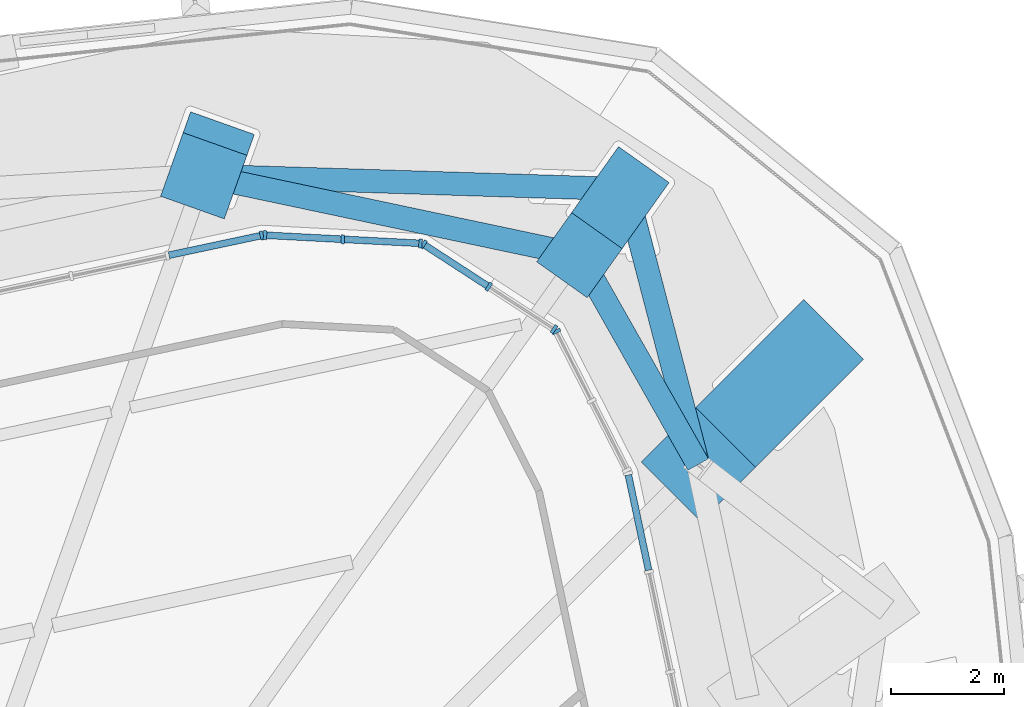
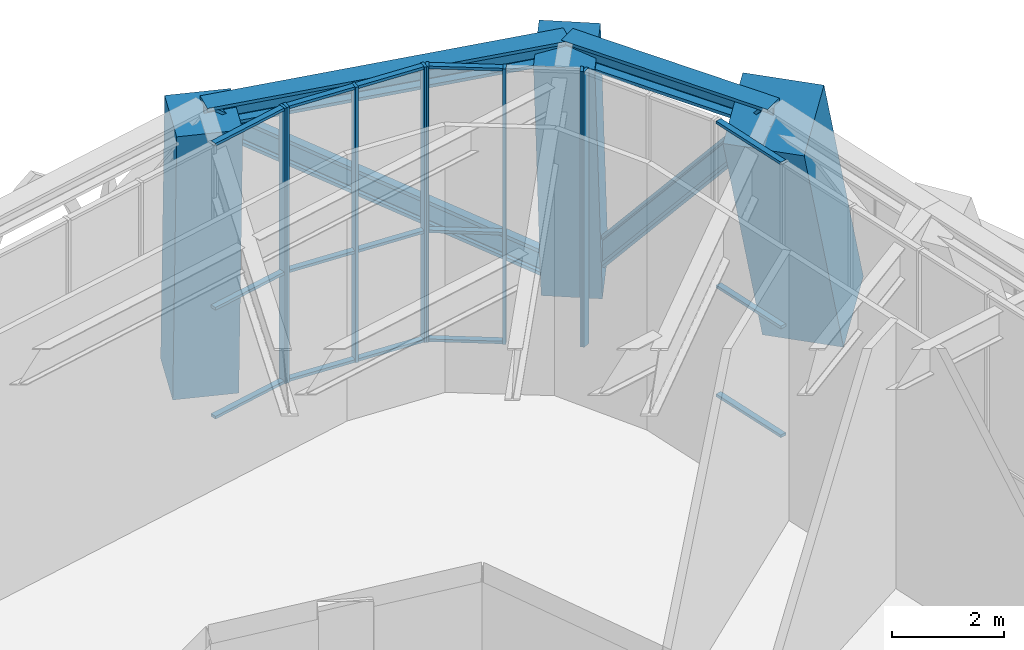
# One storey, part 11 of 23: 30 members, 5 elements without a shape of their own.
"""IFC4 building model written with IfcOpenShell, lengths in metres."""

import ifcopenshell
import ifcopenshell.guid

model = None  # the IFC model being written
_history = None  # IfcOwnerHistory: only IFC2X3 demands one
_inside = {}  # id of a spatial element -> (the spatial element, [elements in it])
_under = {}  # id of a project, library or spatial element -> (it, [spatial elements below it])
_declared = {}  # id of a project -> (the project, [libraries it declares])
_typed = {}  # id of a type object -> (the type object, [elements of that type])
_made_of = {}  # id of a material, layer set ... -> (it, [elements and type objects made of it])


def new_model(schema):
    """Start an empty IFC model of exactly this schema.

    Asked for "IFC4X3", IfcOpenShell would pick the latest addendum, in which some entities
    have other attributes; the version numbers below select the first issue.
    IFC2X3 requires an IfcOwnerHistory on every rooted entity: one is made here for all.
    """
    global model, _history
    if schema == "IFC4X3":
        model = ifcopenshell.file(schema_version=(4, 3, 0, 0))
    else:
        model = ifcopenshell.file(schema=schema)
    _inside.clear()
    _under.clear()
    _declared.clear()
    _typed.clear()
    _made_of.clear()
    _history = None
    if model.schema == "IFC2X3":
        org = make("IfcOrganization", Name="unknown")
        user = make(
            "IfcPersonAndOrganization",
            ThePerson=make("IfcPerson", FamilyName="unknown"),
            TheOrganization=org,
        )
        app = make(
            "IfcApplication",
            ApplicationDeveloper=org,
            Version="unknown",
            ApplicationFullName="unknown",
            ApplicationIdentifier="unknown",
        )
        _history = make(
            "IfcOwnerHistory",
            OwningUser=user,
            OwningApplication=app,
            ChangeAction="ADDED",
            CreationDate=0,
        )
    return model


def make(cls, **values):
    """One entity of the class cls with the attributes given. An attribute that is None is left unset."""
    return model.create_entity(
        cls, **{name: value for name, value in values.items() if value is not None}
    )


def rooted(cls, **values):
    """An entity with a GlobalId (a new one), such as an element, a storey or a relation."""
    return make(cls, GlobalId=ifcopenshell.guid.new(), OwnerHistory=_history, **values)


def si_unit(unit_type, name, prefix=None):
    """IfcSIUnit, for example si_unit("LENGTHUNIT", "METRE", prefix="MILLI")."""
    return make("IfcSIUnit", UnitType=unit_type, Prefix=prefix, Name=name)


def assignment(units):
    """IfcUnitAssignment: the units of a project."""
    return None if units is None else make("IfcUnitAssignment", Units=units)


def point(xyz):
    """IfcCartesianPoint."""
    return None if xyz is None else make("IfcCartesianPoint", Coordinates=xyz)


def direction(xyz):
    """IfcDirection."""
    return None if xyz is None else make("IfcDirection", DirectionRatios=xyz)


def frame(location, z_axis=None, x_axis=None):
    """IfcAxis2Placement3D, a coordinate frame: its origin and axes. An axis left out is left unset."""
    return make(
        "IfcAxis2Placement3D",
        Location=point(location),
        Axis=direction(z_axis),
        RefDirection=direction(x_axis),
    )


def frame_2d(location, x_axis=None):
    """IfcAxis2Placement2D, a coordinate frame in the plane: its origin and x axis."""
    return make(
        "IfcAxis2Placement2D", Location=point(location), RefDirection=direction(x_axis)
    )


def origin():
    """The frame at (0, 0, 0) with its axes left unset."""
    return frame((0.0, 0.0, 0.0))


def origin_2d():
    """The frame at (0, 0) in the plane with its x axis left unset."""
    return frame_2d((0.0, 0.0))


def place(relative_to, where):
    """IfcLocalPlacement: puts the frame where relative to a parent placement (None: the world)."""
    return make(
        "IfcLocalPlacement", PlacementRelTo=relative_to, RelativePlacement=where
    )


def context(
    kind, dimensions, precision=None, world=None, true_north=None, identifier=None
):
    """IfcGeometricRepresentationContext, for example the 3D "Model" context."""
    return make(
        "IfcGeometricRepresentationContext",
        ContextIdentifier=identifier,
        ContextType=kind,
        CoordinateSpaceDimension=dimensions,
        Precision=precision,
        WorldCoordinateSystem=world,
        TrueNorth=true_north,
    )


def subcontext(parent, identifier, kind, view, scale=None):
    """IfcGeometricRepresentationSubContext, for example "Body" below "Model"."""
    return make(
        "IfcGeometricRepresentationSubContext",
        ContextIdentifier=identifier,
        ContextType=kind,
        ParentContext=parent,
        TargetScale=scale,
        TargetView=view,
    )


def project(units=None, contexts=None):
    """IfcProject with its units and contexts."""
    return rooted(
        "IfcProject",
        Name="project",
        RepresentationContexts=contexts,
        UnitsInContext=assignment(units),
    )


def spatial(cls, under=None, at=None, **own):
    """A site, building, storey or space (cls), placed at a placement, below another one or the project."""
    s = rooted(cls, ObjectPlacement=at, **own)
    if under is not None:
        _under.setdefault(under.id(), (under, []))[1].append(s)
    return s


def profile(cls, at=None, kind="AREA", **sizes):
    """A parametric profile (cls). Its sizes go by their IFC names, for example OverallWidth=200.0."""
    return make(cls, ProfileType=kind, Position=at, **sizes)


def rectangle(**sizes):
    """IfcRectangleProfileDef."""
    return profile("IfcRectangleProfileDef", **sizes)


def i_section(**sizes):
    """IfcIShapeProfileDef."""
    return profile("IfcIShapeProfileDef", **sizes)


def extrude(swept, where, along, depth):
    """IfcExtrudedAreaSolid: the profile swept, set in the frame where, extruded along a direction by depth."""
    return make(
        "IfcExtrudedAreaSolid",
        SweptArea=swept,
        Position=where,
        ExtrudedDirection=direction(along),
        Depth=depth,
    )


def shape(context_of_items, identifier, shape_type, items):
    """IfcShapeRepresentation: the items that make up one representation, for example the "Body"."""
    return make(
        "IfcShapeRepresentation",
        ContextOfItems=context_of_items,
        RepresentationIdentifier=identifier,
        RepresentationType=shape_type,
        Items=items,
    )


def material(Name=None, Category=None):
    """IfcMaterial."""
    return make("IfcMaterial", Name=Name, Category=Category)


def material_profile(
    of_material, cross_section, Name=None, Category=None, Priority=None
):
    """IfcMaterialProfile: a cross section and its material."""
    return make(
        "IfcMaterialProfile",
        Name=Name,
        Material=of_material,
        Profile=cross_section,
        Priority=Priority,
        Category=Category,
    )


def profile_set(profiles, Name=None, composite=None):
    """IfcMaterialProfileSet."""
    return make(
        "IfcMaterialProfileSet",
        Name=Name,
        MaterialProfiles=profiles,
        CompositeProfile=composite,
    )


def made_of(thing, what):
    """Note that an element or type object is made of a material, layer set ...; save() writes the relation."""
    if what is not None:
        _made_of.setdefault(what.id(), (what, []))[1].append(thing)
    return thing


def type_object(cls, material=None, **own):
    """A type object (cls), such as IfcWallType, which elements share."""
    return made_of(rooted(cls, **own), material)


def element(
    cls,
    number,
    at=None,
    inside=None,
    cuts=None,
    type_object=None,
    material=None,
    context=None,
    identifier="Body",
    shape_type=None,
    held_by="IfcProductDefinitionShape",
    body=None,
    shapes=None,
    **own,
):
    """One element of the class cls, such as IfcWall. Its Tag is "e" and its number.

    at: its placement. inside: the storey or other place that contains it. cuts: it is an
    opening in that element (IfcRelVoidsElement). A single representation is given by context,
    identifier, shape_type and body (its items); several are given by shapes. held_by: the class
    of the entity that holds the representations. save() writes the other relations.
    """
    e = rooted(cls, Tag="e%d" % number, ObjectPlacement=at, **own)
    if body is not None:
        shapes = [shape(context, identifier, shape_type, body)]
    if shapes is not None:
        e.Representation = make(held_by, Representations=shapes)
    if inside is not None:
        _inside.setdefault(inside.id(), (inside, []))[1].append(e)
    if cuts is not None:
        rooted(
            "IfcRelVoidsElement", RelatingBuildingElement=cuts, RelatedOpeningElement=e
        )
    if type_object is not None:
        _typed.setdefault(type_object.id(), (type_object, []))[1].append(e)
    return made_of(e, material)


def aggregate(whole, parts):
    """IfcRelAggregates: a whole, such as a stair, and the parts it consists of."""
    return rooted("IfcRelAggregates", RelatingObject=whole, RelatedObjects=parts)


def save(model, path):
    """Write the relations noted so far, then the file.

    IfcRelAggregates (storeys below a building ...), IfcRelContainedInSpatialStructure (elements
    in a storey), IfcRelDefinesByType, IfcRelAssociatesMaterial and IfcRelDeclares: one each for
    every whole, place, type object, material and project.
    """
    for whole, parts in _under.values():
        aggregate(whole, parts)
    for where, things in _inside.values():
        rooted(
            "IfcRelContainedInSpatialStructure",
            RelatedElements=things,
            RelatingStructure=where,
        )
    for kind, things in _typed.values():
        rooted("IfcRelDefinesByType", RelatedObjects=things, RelatingType=kind)
    for what, things in _made_of.values():
        rooted("IfcRelAssociatesMaterial", RelatedObjects=things, RelatingMaterial=what)
    for by, libraries in _declared.values():
        rooted("IfcRelDeclares", RelatingContext=by, RelatedDefinitions=libraries)
    model.write(path)


model = new_model("IFC4")

# Units and contexts
model_context = context("Model", 3, precision=1e-05, world=origin(), true_north=direction((0.0, 1.0)))
body_context = subcontext(model_context, "Body", "Model", "MODEL_VIEW")
ifc_project = project(units=[si_unit("LENGTHUNIT", "METRE"), si_unit("AREAUNIT", "SQUARE_METRE"), si_unit("VOLUMEUNIT", "CUBIC_METRE"), si_unit("PLANEANGLEUNIT", "RADIAN"), si_unit("MASSUNIT", "GRAM", prefix="KILO")], contexts=[model_context])

# Site, building, storey
site_placement = place(None, origin())
site = spatial("IfcSite", under=ifc_project, at=site_placement, CompositionType="ELEMENT")
building_placement = place(site_placement, origin())
building = spatial("IfcBuilding", under=site, at=building_placement, Name="Nakasero Lantern House", CompositionType="ELEMENT")
storey_placement = place(building_placement, frame((0.0, 0.0, 95.14990234375)))
storey = spatial("IfcBuildingStorey", under=building, at=storey_placement, Name="L23", CompositionType="ELEMENT", Elevation=95.14990234375)

# Members
ifc_material_1 = material(Name="Steel S355", Category="steel")
ifc_material_profile_1 = material_profile(ifc_material_1, i_section(OverallWidth=0.41845703125, OverallDepth=0.45556640625, WebThickness=0.0419921875, FlangeThickness=0.0673828125, FilletRadius=0.01513671875, at=origin_2d()), Name="UC 356x406x551")
ifc_profile_set_1 = profile_set([ifc_material_profile_1], Name="Steel S355")
member_type_1 = type_object("IfcMemberType", Name="Belt truss chord UC 356x406x551", PredefinedType="CHORD", material=ifc_profile_set_1)
member_1_placement = place(storey_placement, frame((16.44091796875, 16.44091796875, 5.572265625), z_axis=(-0.493378832737, 0.869814536213, 0.0), x_axis=(-0.869814536213, -0.493378832737, 0.0)))
element("IfcMember", 1, at=member_1_placement, inside=storey, type_object=member_type_1, Name="Belt truss top chord T2 B3-C06T", PredefinedType="CHORD", context=body_context, shape_type="SweptSolid", body=[
    extrude(i_section(OverallWidth=0.41845703125, OverallDepth=0.45556640625, WebThickness=0.0419921875, FlangeThickness=0.0673828125, FilletRadius=0.01513671875, at=origin_2d()), origin(), (0.0, 0.0, 1.0), 4.271484375),
])
member_2_placement = place(storey_placement, frame((14.33349609375, 20.15625, 5.572265625), z_axis=(-0.978376066473, 0.206833925052, 0.0), x_axis=(-0.206833925052, -0.978376066473, 0.0)))
element("IfcMember", 2, at=member_2_placement, inside=storey, type_object=member_type_1, Name="Belt truss top chord T2 B3-C07T", PredefinedType="CHORD", context=body_context, shape_type="SweptSolid", body=[
    extrude(i_section(OverallWidth=0.41845703125, OverallDepth=0.45556640625, WebThickness=0.0419921875, FlangeThickness=0.0673828125, FilletRadius=0.01513671875, at=origin_2d()), origin(), (0.0, 0.0, 1.0), 6.81298828125),
])
ifc_material_2 = material(Name="Steel S355", Category="steel")
ifc_material_profile_2 = material_profile(ifc_material_2, i_section(OverallWidth=0.412109375, OverallDepth=0.4365234375, WebThickness=0.035888671875, FlangeThickness=0.05810546875, FilletRadius=0.01513671875, at=origin_2d()), Name="UC 356x406x467")
ifc_profile_set_2 = profile_set([ifc_material_profile_2], Name="Steel S355")
member_type_2 = type_object("IfcMemberType", Name="Belt truss diagonal UC 356x406x467", PredefinedType="BRACE", material=ifc_profile_set_2)
member_3_placement = place(storey_placement, frame((16.44091796875, 16.44091796875, 5.572265625), z_axis=(-0.162498709171, 0.623129628635, -0.765051393982), x_axis=(-0.967638829743, -0.252339246204, 0.0)))
element("IfcMember", 3, at=member_3_placement, inside=storey, type_object=member_type_2, Name="Belt truss diagonal T2-06", PredefinedType="BRACE", context=body_context, shape_type="SweptSolid", body=[
    extrude(i_section(OverallWidth=0.412109375, OverallDepth=0.4365234375, WebThickness=0.035888671875, FlangeThickness=0.05810546875, FilletRadius=0.01513671875, at=origin_2d()), origin(), (0.0, 0.0, 1.0), 7.842529296875),
])
member_4_placement = place(storey_placement, frame((15.16650390625, 21.327880859375, -0.427734375), z_axis=(-0.78058045227, 0.024727487549, 0.624566016441), x_axis=(-0.031662450146, -0.999498618934, 0.0)))
element("IfcMember", 4, at=member_4_placement, inside=storey, type_object=member_type_2, Name="Belt truss diagonal T2-07", PredefinedType="BRACE", context=body_context, shape_type="SweptSolid", body=[
    extrude(i_section(OverallWidth=0.412109375, OverallDepth=0.4365234375, WebThickness=0.035888671875, FlangeThickness=0.05810546875, FilletRadius=0.01513671875, at=origin_2d()), origin(), (0.0, 0.0, 1.0), 9.606689453125),
])

# Curtain wall, member
ifc_material_3 = material(Name="Aluminium 6063-T6 and glass", Category="aluminium")
curtain_wall_type = type_object("IfcCurtainWallType", Name="Sky lounge glazing CW-3", PredefinedType="USERDEFINED", material=ifc_material_3)
curtain_wall_1_placement = place(storey_placement, origin())
curtain_wall_1 = element("IfcCurtainWall", 5, at=curtain_wall_1_placement, inside=storey, type_object=curtain_wall_type, Name="Curtain wall CW-3 L23", ObjectType="STICK CURTAIN WALL", PredefinedType="USERDEFINED")
ifc_material_4 = material(Name="Aluminium 6063-T6", Category="aluminium")
ifc_material_profile_3 = material_profile(ifc_material_4, rectangle(XDim=0.06005859375, YDim=0.159912109375, at=origin_2d()), Name="CW-3 mullion 60x160")
ifc_profile_set_3 = profile_set([ifc_material_profile_3], Name="Aluminium 6063-T6")
member_type_3 = type_object("IfcMemberType", Name="Mullion CW-3", PredefinedType="MULLION", material=ifc_profile_set_3)
member_5_placement = place(storey_placement, frame((13.9228515625, 18.801513671875, 0.0), z_axis=(0.0, 0.0, 1.0), x_axis=(-0.45399049974, 0.891006524188, 0.0)))
member_5 = element("IfcMember", 6, at=member_5_placement, type_object=member_type_3, Name="CW-3 mullion 3", PredefinedType="MULLION", context=body_context, shape_type="SweptSolid", body=[
    extrude(rectangle(XDim=0.06005859375, YDim=0.159912109375, at=origin_2d()), origin(), (0.0, 0.0, 1.0), 6.0),
])
aggregate(curtain_wall_1, [member_5])

# Curtain wall, members
curtain_wall_2_placement = place(storey_placement, origin())
curtain_wall_2 = element("IfcCurtainWall", 7, at=curtain_wall_2_placement, inside=storey, type_object=curtain_wall_type, Name="Curtain wall CW-3 L23", ObjectType="STICK CURTAIN WALL", PredefinedType="USERDEFINED")
member_6_placement = place(storey_placement, frame((13.884033203125, 18.8447265625, 0.0), z_axis=(0.0, 0.0, 1.0), x_axis=(-0.838670567945, 0.544639035015, 0.0)))
member_6 = element("IfcMember", 8, at=member_6_placement, type_object=member_type_3, Name="CW-3 mullion 1", PredefinedType="MULLION", context=body_context, shape_type="SweptSolid", body=[
    extrude(rectangle(XDim=0.06005859375, YDim=0.159912109375, at=origin_2d()), origin(), (0.0, 0.0, 1.0), 6.0),
])
member_7_placement = place(storey_placement, frame((12.72607421875, 19.5966796875, 0.0), z_axis=(0.0, 0.0, 1.0), x_axis=(-0.838670567945, 0.544639035015, 0.0)))
member_7 = element("IfcMember", 9, at=member_7_placement, type_object=member_type_3, Name="CW-3 mullion 2", PredefinedType="MULLION", context=body_context, shape_type="SweptSolid", body=[
    extrude(rectangle(XDim=0.06005859375, YDim=0.159912109375, at=origin_2d()), origin(), (0.0, 0.0, 1.0), 6.0),
])
member_8_placement = place(storey_placement, frame((11.568359375, 20.348388671875, 0.0), z_axis=(0.0, 0.0, 1.0), x_axis=(-0.838670567945, 0.544639035015, 0.0)))
member_8 = element("IfcMember", 10, at=member_8_placement, type_object=member_type_3, Name="CW-3 mullion 3", PredefinedType="MULLION", context=body_context, shape_type="SweptSolid", body=[
    extrude(rectangle(XDim=0.06005859375, YDim=0.159912109375, at=origin_2d()), origin(), (0.0, 0.0, 1.0), 6.0),
])

curtain_wall_3_placement = place(storey_placement, origin())
curtain_wall_3 = element("IfcCurtainWall", 11, at=curtain_wall_3_placement, inside=storey, type_object=curtain_wall_type, Name="Curtain wall CW-3 L23", ObjectType="STICK CURTAIN WALL", PredefinedType="USERDEFINED")
member_9_placement = place(storey_placement, frame((11.51318359375, 20.366455078125, 0.0), z_axis=(0.0, 0.0, 1.0), x_axis=(-0.998629534755, 0.052335956243, 0.0)))
member_9 = element("IfcMember", 12, at=member_9_placement, type_object=member_type_3, Name="CW-3 mullion 1", PredefinedType="MULLION", context=body_context, shape_type="SweptSolid", body=[
    extrude(rectangle(XDim=0.06005859375, YDim=0.159912109375, at=origin_2d()), origin(), (0.0, 0.0, 1.0), 6.0),
])
member_10_placement = place(storey_placement, frame((10.134521484375, 20.438720703125, 0.0), z_axis=(0.0, 0.0, 1.0), x_axis=(-0.998629534755, 0.052335956243, 0.0)))
member_10 = element("IfcMember", 13, at=member_10_placement, type_object=member_type_3, Name="CW-3 mullion 2", PredefinedType="MULLION", context=body_context, shape_type="SweptSolid", body=[
    extrude(rectangle(XDim=0.06005859375, YDim=0.159912109375, at=origin_2d()), origin(), (0.0, 0.0, 1.0), 6.0),
])
member_11_placement = place(storey_placement, frame((8.755859375, 20.510986328125, 0.0), z_axis=(0.0, 0.0, 1.0), x_axis=(-0.998629534755, 0.052335956243, 0.0)))
member_11 = element("IfcMember", 14, at=member_11_placement, type_object=member_type_3, Name="CW-3 mullion 3", PredefinedType="MULLION", context=body_context, shape_type="SweptSolid", body=[
    extrude(rectangle(XDim=0.06005859375, YDim=0.159912109375, at=origin_2d()), origin(), (0.0, 0.0, 1.0), 6.0),
])

# Curtain wall, member
curtain_wall_4_placement = place(storey_placement, origin())
curtain_wall_4 = element("IfcCurtainWall", 15, at=curtain_wall_4_placement, inside=storey, type_object=curtain_wall_type, Name="Curtain wall CW-3 L23", ObjectType="STICK CURTAIN WALL", PredefinedType="USERDEFINED")
member_12_placement = place(storey_placement, frame((8.696533203125, 20.50634765625, 0.0), z_axis=(0.0, 0.0, 1.0), x_axis=(-0.978147600734, -0.207911690818, 0.0)))
member_12 = element("IfcMember", 16, at=member_12_placement, type_object=member_type_3, Name="CW-3 mullion 1", PredefinedType="MULLION", context=body_context, shape_type="SweptSolid", body=[
    extrude(rectangle(XDim=0.06005859375, YDim=0.159912109375, at=origin_2d()), origin(), (0.0, 0.0, 1.0), 6.0),
])

# Members
ifc_material_5 = material(Name="Concrete C50/60", Category="concrete")
ifc_material_profile_4 = material_profile(ifc_material_5, rectangle(XDim=1.10009765625, YDim=1.10009765625, at=origin_2d()), Name="RC 1100x1100")
ifc_profile_set_4 = profile_set([ifc_material_profile_4], Name="Concrete C50/60")
member_type_4 = type_object("IfcMemberType", Name="Raking column RC 1100x1100 C50/60", PredefinedType="STRUT", material=ifc_profile_set_4)
member_13_placement = place(storey_placement, frame((15.16650390625, 21.327880859375, -0.427734375), z_axis=(-0.135013411496, -0.189897233812, 0.972476436376), x_axis=(0.815005228405, -0.579453602692, 0.0)))
element("IfcMember", 17, at=member_13_placement, inside=storey, type_object=member_type_4, Name="Raking column B3-C07T L23", PredefinedType="STRUT", context=body_context, shape_type="SweptSolid", body=[
    extrude(rectangle(XDim=1.10009765625, YDim=1.10009765625, at=origin_2d()), origin(), (0.0, 0.0, 1.0), 6.169921875),
])
ifc_material_6 = material(Name="Concrete C50/60", Category="concrete")
ifc_material_profile_5 = material_profile(ifc_material_6, rectangle(XDim=1.199951171875, YDim=1.199951171875, at=origin_2d()), Name="RC 1200x1200")
ifc_profile_set_5 = profile_set([ifc_material_profile_5], Name="Concrete C50/60")
member_type_5 = type_object("IfcMemberType", Name="Raking column RC 1200x1200 C50/60", PredefinedType="STRUT", material=ifc_profile_set_5)
member_14_placement = place(storey_placement, frame((7.79931640625, 21.935302734375, -0.427734375), z_axis=(-0.021885169008, -0.061513972257, 0.997866258872), x_axis=(0.942149239881, -0.335193689964, 0.0)))
element("IfcMember", 18, at=member_14_placement, inside=storey, type_object=member_type_5, Name="Raking column B3-C08T L23", PredefinedType="STRUT", context=body_context, shape_type="SweptSolid", body=[
    extrude(rectangle(XDim=1.199951171875, YDim=1.199951171875, at=origin_2d()), origin(), (0.0, 0.0, 1.0), 6.012939453125),
])
ifc_material_7 = material(Name="Concrete C50/60", Category="concrete")
ifc_material_profile_6 = material_profile(ifc_material_7, rectangle(XDim=1.5, YDim=1.5, at=origin_2d()), Name="RC 1500x1500")
ifc_profile_set_6 = profile_set([ifc_material_profile_6], Name="Concrete C50/60")
member_type_6 = type_object("IfcMemberType", Name="Raking column RC 1500x1500 C50/60", PredefinedType="STRUT", material=ifc_profile_set_6)
member_15_placement = place(storey_placement, frame((18.359375, 18.359375, -0.427734375), z_axis=(-0.291341705571, -0.291341705571, 0.911175077134), x_axis=(0.707106781187, -0.707106781187, 0.0)))
element("IfcMember", 19, at=member_15_placement, inside=storey, type_object=member_type_6, Name="Raking column B3-C06T L23", PredefinedType="STRUT", context=body_context, shape_type="SweptSolid", body=[
    extrude(rectangle(XDim=1.5, YDim=1.5, at=origin_2d()), origin(), (0.0, 0.0, 1.0), 6.5849609375),
])

# Curtain wall, members
curtain_wall_5_placement = place(storey_placement, origin())
curtain_wall_5 = element("IfcCurtainWall", 20, at=curtain_wall_5_placement, inside=storey, type_object=curtain_wall_type, Name="Curtain wall CW-3 L23", ObjectType="STICK CURTAIN WALL", PredefinedType="USERDEFINED")
ifc_material_8 = material(Name="Aluminium 6063-T6", Category="aluminium")
ifc_material_profile_7 = material_profile(ifc_material_8, rectangle(XDim=0.06005859375, YDim=0.1201171875, at=origin_2d()), Name="CW-3 transom 60x120")
ifc_profile_set_7 = profile_set([ifc_material_profile_7], Name="Aluminium 6063-T6")
member_type_7 = type_object("IfcMemberType", Name="Transom CW-3", PredefinedType="USERDEFINED", material=ifc_profile_set_7)
member_16_placement = place(storey_placement, frame((15.561279296875, 14.567138671875, 0.030029296875), z_axis=(-0.207848609459, 0.978161006965, 0.0), x_axis=(0.0, 0.0, 1.0)))
member_16 = element("IfcMember", 21, at=member_16_placement, type_object=member_type_7, Name="CW-3 transom 6.1", ObjectType="TRANSOM", PredefinedType="USERDEFINED", context=body_context, shape_type="SweptSolid", body=[
    extrude(rectangle(XDim=0.06005859375, YDim=0.1201171875, at=origin_2d()), origin(), (0.0, 0.0, 1.0), 1.7265625),
])
member_17_placement = place(storey_placement, frame((15.561279296875, 14.567138671875, 2.400146484375), z_axis=(-0.207848609459, 0.978161006965, 0.0), x_axis=(0.0, 0.0, 1.0)))
member_17 = element("IfcMember", 22, at=member_17_placement, type_object=member_type_7, Name="CW-3 transom 6.2", ObjectType="TRANSOM", PredefinedType="USERDEFINED", context=body_context, shape_type="SweptSolid", body=[
    extrude(rectangle(XDim=0.06005859375, YDim=0.1201171875, at=origin_2d()), origin(), (0.0, 0.0, 1.0), 1.7265625),
])
member_18_placement = place(storey_placement, frame((15.561279296875, 14.567138671875, 5.97021484375), z_axis=(-0.207848609459, 0.978161006965, 0.0), x_axis=(0.0, 0.0, 1.0)))
member_18 = element("IfcMember", 23, at=member_18_placement, type_object=member_type_7, Name="CW-3 transom 6.3", ObjectType="TRANSOM", PredefinedType="USERDEFINED", context=body_context, shape_type="SweptSolid", body=[
    extrude(rectangle(XDim=0.06005859375, YDim=0.1201171875, at=origin_2d()), origin(), (0.0, 0.0, 1.0), 1.7265625),
])
aggregate(curtain_wall_5, [member_16, member_17, member_18])

# Member
member_19_placement = place(storey_placement, frame((12.700927734375, 19.61279296875, 0.030029296875), z_axis=(-0.838646316331, 0.544676377406, 0.0), x_axis=(0.0, 0.0, 1.0)))
member_19 = element("IfcMember", 24, at=member_19_placement, type_object=member_type_7, Name="CW-3 transom 2.1", ObjectType="TRANSOM", PredefinedType="USERDEFINED", context=body_context, shape_type="SweptSolid", body=[
    extrude(rectangle(XDim=0.06005859375, YDim=0.1201171875, at=origin_2d()), origin(), (0.0, 0.0, 1.0), 1.320556640625),
])

member_20_placement = place(storey_placement, frame((12.700927734375, 19.61279296875, 2.400146484375), z_axis=(-0.838646316331, 0.544676377406, 0.0), x_axis=(0.0, 0.0, 1.0)))
member_20 = element("IfcMember", 25, at=member_20_placement, type_object=member_type_7, Name="CW-3 transom 2.2", ObjectType="TRANSOM", PredefinedType="USERDEFINED", context=body_context, shape_type="SweptSolid", body=[
    extrude(rectangle(XDim=0.06005859375, YDim=0.1201171875, at=origin_2d()), origin(), (0.0, 0.0, 1.0), 1.320556640625),
])

member_21_placement = place(storey_placement, frame((12.700927734375, 19.61279296875, 5.97021484375), z_axis=(-0.838646316331, 0.544676377406, 0.0), x_axis=(0.0, 0.0, 1.0)))
member_21 = element("IfcMember", 26, at=member_21_placement, type_object=member_type_7, Name="CW-3 transom 2.3", ObjectType="TRANSOM", PredefinedType="USERDEFINED", context=body_context, shape_type="SweptSolid", body=[
    extrude(rectangle(XDim=0.06005859375, YDim=0.1201171875, at=origin_2d()), origin(), (0.0, 0.0, 1.0), 1.320556640625),
])

aggregate(curtain_wall_2, [member_6, member_7, member_8, member_19, member_20, member_21])

member_22_placement = place(storey_placement, frame((11.483154296875, 20.367919921875, 0.030029296875), z_axis=(-0.998630060553, 0.052325922447, 0.0), x_axis=(0.0, 0.0, 1.0)))
member_22 = element("IfcMember", 27, at=member_22_placement, type_object=member_type_7, Name="CW-3 transom 1.1", ObjectType="TRANSOM", PredefinedType="USERDEFINED", context=body_context, shape_type="SweptSolid", body=[
    extrude(rectangle(XDim=0.06005859375, YDim=0.1201171875, at=origin_2d()), origin(), (0.0, 0.0, 1.0), 1.3203125),
])

member_23_placement = place(storey_placement, frame((11.483154296875, 20.367919921875, 2.400146484375), z_axis=(-0.998630060553, 0.052325922447, 0.0), x_axis=(0.0, 0.0, 1.0)))
member_23 = element("IfcMember", 28, at=member_23_placement, type_object=member_type_7, Name="CW-3 transom 1.2", ObjectType="TRANSOM", PredefinedType="USERDEFINED", context=body_context, shape_type="SweptSolid", body=[
    extrude(rectangle(XDim=0.06005859375, YDim=0.1201171875, at=origin_2d()), origin(), (0.0, 0.0, 1.0), 1.3203125),
])

member_24_placement = place(storey_placement, frame((11.483154296875, 20.367919921875, 5.97021484375), z_axis=(-0.998630060553, 0.052325922447, 0.0), x_axis=(0.0, 0.0, 1.0)))
member_24 = element("IfcMember", 29, at=member_24_placement, type_object=member_type_7, Name="CW-3 transom 1.3", ObjectType="TRANSOM", PredefinedType="USERDEFINED", context=body_context, shape_type="SweptSolid", body=[
    extrude(rectangle(XDim=0.06005859375, YDim=0.1201171875, at=origin_2d()), origin(), (0.0, 0.0, 1.0), 1.3203125),
])

member_25_placement = place(storey_placement, frame((10.1044921875, 20.440185546875, 0.030029296875), z_axis=(-0.998630060553, 0.052325922447, 0.0), x_axis=(0.0, 0.0, 1.0)))
member_25 = element("IfcMember", 30, at=member_25_placement, type_object=member_type_7, Name="CW-3 transom 2.1", ObjectType="TRANSOM", PredefinedType="USERDEFINED", context=body_context, shape_type="SweptSolid", body=[
    extrude(rectangle(XDim=0.06005859375, YDim=0.1201171875, at=origin_2d()), origin(), (0.0, 0.0, 1.0), 1.3203125),
])

member_26_placement = place(storey_placement, frame((10.1044921875, 20.440185546875, 2.400146484375), z_axis=(-0.998630060553, 0.052325922447, 0.0), x_axis=(0.0, 0.0, 1.0)))
member_26 = element("IfcMember", 31, at=member_26_placement, type_object=member_type_7, Name="CW-3 transom 2.2", ObjectType="TRANSOM", PredefinedType="USERDEFINED", context=body_context, shape_type="SweptSolid", body=[
    extrude(rectangle(XDim=0.06005859375, YDim=0.1201171875, at=origin_2d()), origin(), (0.0, 0.0, 1.0), 1.3203125),
])

member_27_placement = place(storey_placement, frame((10.1044921875, 20.440185546875, 5.97021484375), z_axis=(-0.998630060553, 0.052325922447, 0.0), x_axis=(0.0, 0.0, 1.0)))
member_27 = element("IfcMember", 32, at=member_27_placement, type_object=member_type_7, Name="CW-3 transom 2.3", ObjectType="TRANSOM", PredefinedType="USERDEFINED", context=body_context, shape_type="SweptSolid", body=[
    extrude(rectangle(XDim=0.06005859375, YDim=0.1201171875, at=origin_2d()), origin(), (0.0, 0.0, 1.0), 1.3203125),
])

aggregate(curtain_wall_3, [member_9, member_10, member_11, member_22, member_23, member_24, member_25, member_26, member_27])

member_28_placement = place(storey_placement, frame((8.667236328125, 20.5, 0.030029296875), z_axis=(-0.978134067417, -0.207975349883, 0.0), x_axis=(0.0, 0.0, 1.0)))
member_28 = element("IfcMember", 33, at=member_28_placement, type_object=member_type_7, Name="CW-3 transom 1.1", ObjectType="TRANSOM", PredefinedType="USERDEFINED", context=body_context, shape_type="SweptSolid", body=[
    extrude(rectangle(XDim=0.06005859375, YDim=0.1201171875, at=origin_2d()), origin(), (0.0, 0.0, 1.0), 1.65283203125),
])

member_29_placement = place(storey_placement, frame((8.667236328125, 20.5, 2.400146484375), z_axis=(-0.978134067417, -0.207975349883, 0.0), x_axis=(0.0, 0.0, 1.0)))
member_29 = element("IfcMember", 34, at=member_29_placement, type_object=member_type_7, Name="CW-3 transom 1.2", ObjectType="TRANSOM", PredefinedType="USERDEFINED", context=body_context, shape_type="SweptSolid", body=[
    extrude(rectangle(XDim=0.06005859375, YDim=0.1201171875, at=origin_2d()), origin(), (0.0, 0.0, 1.0), 1.65283203125),
])

member_30_placement = place(storey_placement, frame((8.667236328125, 20.5, 5.97021484375), z_axis=(-0.978134067417, -0.207975349883, 0.0), x_axis=(0.0, 0.0, 1.0)))
member_30 = element("IfcMember", 35, at=member_30_placement, type_object=member_type_7, Name="CW-3 transom 1.3", ObjectType="TRANSOM", PredefinedType="USERDEFINED", context=body_context, shape_type="SweptSolid", body=[
    extrude(rectangle(XDim=0.06005859375, YDim=0.1201171875, at=origin_2d()), origin(), (0.0, 0.0, 1.0), 1.65283203125),
])

aggregate(curtain_wall_4, [member_12, member_28, member_29, member_30])

save(model, "model.ifc")
